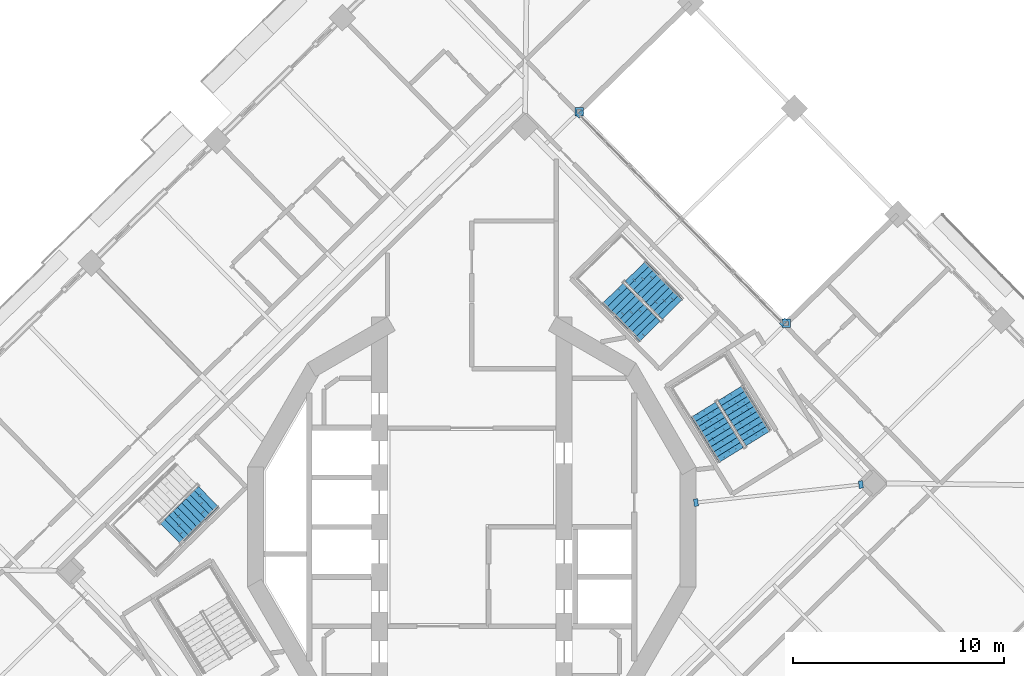
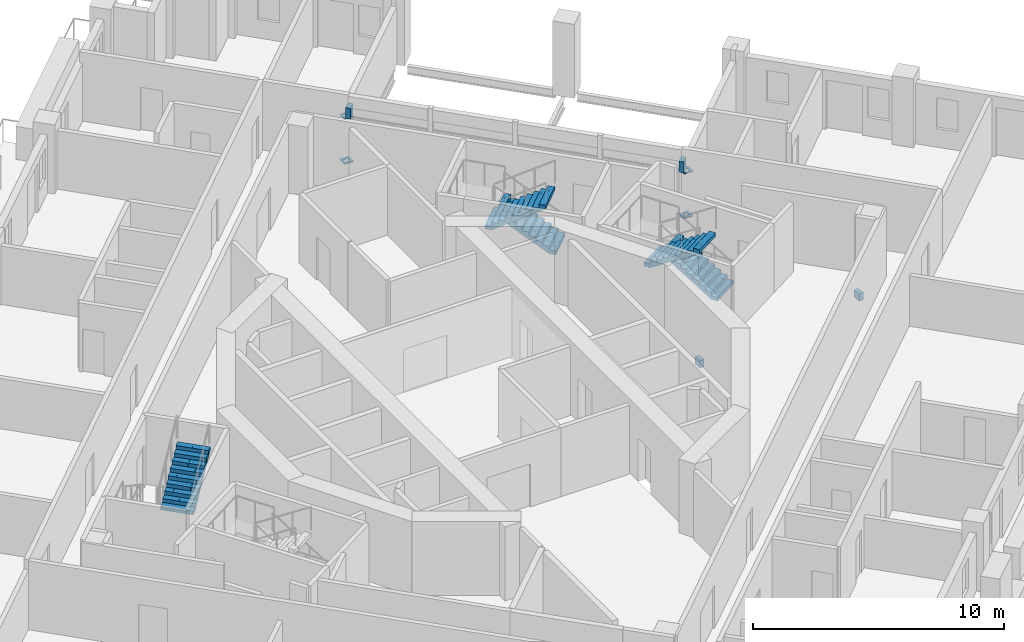
# One storey, part 14 of 20: 8 discrete accessories, 5 stair flights, 3 elements without a shape of their own.
"""IFC4 building model written with IfcOpenShell, lengths in metres."""

import ifcopenshell
import ifcopenshell.guid

model = None  # the IFC model being written
_history = None  # IfcOwnerHistory: only IFC2X3 demands one
_inside = {}  # id of a spatial element -> (the spatial element, [elements in it])
_under = {}  # id of a project, library or spatial element -> (it, [spatial elements below it])
_declared = {}  # id of a project -> (the project, [libraries it declares])
_typed = {}  # id of a type object -> (the type object, [elements of that type])
_made_of = {}  # id of a material, layer set ... -> (it, [elements and type objects made of it])


def new_model(schema):
    """Start an empty IFC model of exactly this schema.

    Asked for "IFC4X3", IfcOpenShell would pick the latest addendum, in which some entities
    have other attributes; the version numbers below select the first issue.
    IFC2X3 requires an IfcOwnerHistory on every rooted entity: one is made here for all.
    """
    global model, _history
    if schema == "IFC4X3":
        model = ifcopenshell.file(schema_version=(4, 3, 0, 0))
    else:
        model = ifcopenshell.file(schema=schema)
    _inside.clear()
    _under.clear()
    _declared.clear()
    _typed.clear()
    _made_of.clear()
    _history = None
    if model.schema == "IFC2X3":
        org = make("IfcOrganization", Name="unknown")
        user = make(
            "IfcPersonAndOrganization",
            ThePerson=make("IfcPerson", FamilyName="unknown"),
            TheOrganization=org,
        )
        app = make(
            "IfcApplication",
            ApplicationDeveloper=org,
            Version="unknown",
            ApplicationFullName="unknown",
            ApplicationIdentifier="unknown",
        )
        _history = make(
            "IfcOwnerHistory",
            OwningUser=user,
            OwningApplication=app,
            ChangeAction="ADDED",
            CreationDate=0,
        )
    return model


def make(cls, **values):
    """One entity of the class cls with the attributes given. An attribute that is None is left unset."""
    return model.create_entity(
        cls, **{name: value for name, value in values.items() if value is not None}
    )


def rooted(cls, **values):
    """An entity with a GlobalId (a new one), such as an element, a storey or a relation."""
    return make(cls, GlobalId=ifcopenshell.guid.new(), OwnerHistory=_history, **values)


def si_unit(unit_type, name, prefix=None):
    """IfcSIUnit, for example si_unit("LENGTHUNIT", "METRE", prefix="MILLI")."""
    return make("IfcSIUnit", UnitType=unit_type, Prefix=prefix, Name=name)


def assignment(units):
    """IfcUnitAssignment: the units of a project."""
    return None if units is None else make("IfcUnitAssignment", Units=units)


def point(xyz):
    """IfcCartesianPoint."""
    return None if xyz is None else make("IfcCartesianPoint", Coordinates=xyz)


def direction(xyz):
    """IfcDirection."""
    return None if xyz is None else make("IfcDirection", DirectionRatios=xyz)


def frame(location, z_axis=None, x_axis=None):
    """IfcAxis2Placement3D, a coordinate frame: its origin and axes. An axis left out is left unset."""
    return make(
        "IfcAxis2Placement3D",
        Location=point(location),
        Axis=direction(z_axis),
        RefDirection=direction(x_axis),
    )


def origin():
    """The frame at (0, 0, 0) with its axes left unset."""
    return frame((0.0, 0.0, 0.0))


def place(relative_to, where):
    """IfcLocalPlacement: puts the frame where relative to a parent placement (None: the world)."""
    return make(
        "IfcLocalPlacement", PlacementRelTo=relative_to, RelativePlacement=where
    )


def context(
    kind, dimensions, precision=None, world=None, true_north=None, identifier=None
):
    """IfcGeometricRepresentationContext, for example the 3D "Model" context."""
    return make(
        "IfcGeometricRepresentationContext",
        ContextIdentifier=identifier,
        ContextType=kind,
        CoordinateSpaceDimension=dimensions,
        Precision=precision,
        WorldCoordinateSystem=world,
        TrueNorth=true_north,
    )


def subcontext(parent, identifier, kind, view, scale=None):
    """IfcGeometricRepresentationSubContext, for example "Body" below "Model"."""
    return make(
        "IfcGeometricRepresentationSubContext",
        ContextIdentifier=identifier,
        ContextType=kind,
        ParentContext=parent,
        TargetScale=scale,
        TargetView=view,
    )


def project(units=None, contexts=None):
    """IfcProject with its units and contexts."""
    return rooted(
        "IfcProject",
        Name="project",
        RepresentationContexts=contexts,
        UnitsInContext=assignment(units),
    )


def spatial(cls, under=None, at=None, **own):
    """A site, building, storey or space (cls), placed at a placement, below another one or the project."""
    s = rooted(cls, ObjectPlacement=at, **own)
    if under is not None:
        _under.setdefault(under.id(), (under, []))[1].append(s)
    return s


def polyline(points):
    """IfcPolyline through the points."""
    return make("IfcPolyline", Points=[point(p) for p in points])


def outline(outer, holes=None, kind="AREA"):
    """IfcArbitraryClosedProfileDef: a profile drawn as a closed curve; with holes, ...WithVoids."""
    if holes is None:
        return make("IfcArbitraryClosedProfileDef", ProfileType=kind, OuterCurve=outer)
    return make(
        "IfcArbitraryProfileDefWithVoids",
        ProfileType=kind,
        OuterCurve=outer,
        InnerCurves=holes,
    )


def extrude(swept, where, along, depth):
    """IfcExtrudedAreaSolid: the profile swept, set in the frame where, extruded along a direction by depth."""
    return make(
        "IfcExtrudedAreaSolid",
        SweptArea=swept,
        Position=where,
        ExtrudedDirection=direction(along),
        Depth=depth,
    )


def shape(context_of_items, identifier, shape_type, items):
    """IfcShapeRepresentation: the items that make up one representation, for example the "Body"."""
    return make(
        "IfcShapeRepresentation",
        ContextOfItems=context_of_items,
        RepresentationIdentifier=identifier,
        RepresentationType=shape_type,
        Items=items,
    )


def material(Name=None, Category=None):
    """IfcMaterial."""
    return make("IfcMaterial", Name=Name, Category=Category)


def layer(
    of_material, thickness, ventilated=None, Name=None, Category=None, Priority=None
):
    """IfcMaterialLayer: one layer of a wall or slab, of a material (None: an air gap)."""
    return make(
        "IfcMaterialLayer",
        Material=of_material,
        LayerThickness=thickness,
        IsVentilated=ventilated,
        Name=Name,
        Category=Category,
        Priority=Priority,
    )


def layer_set(layers, Name=None):
    """IfcMaterialLayerSet."""
    return make("IfcMaterialLayerSet", MaterialLayers=layers, LayerSetName=Name)


def made_of(thing, what):
    """Note that an element or type object is made of a material, layer set ...; save() writes the relation."""
    if what is not None:
        _made_of.setdefault(what.id(), (what, []))[1].append(thing)
    return thing


def type_object(cls, material=None, **own):
    """A type object (cls), such as IfcWallType, which elements share."""
    return made_of(rooted(cls, **own), material)


def element(
    cls,
    number,
    at=None,
    inside=None,
    cuts=None,
    type_object=None,
    material=None,
    context=None,
    identifier="Body",
    shape_type=None,
    held_by="IfcProductDefinitionShape",
    body=None,
    shapes=None,
    **own,
):
    """One element of the class cls, such as IfcWall. Its Tag is "e" and its number.

    at: its placement. inside: the storey or other place that contains it. cuts: it is an
    opening in that element (IfcRelVoidsElement). A single representation is given by context,
    identifier, shape_type and body (its items); several are given by shapes. held_by: the class
    of the entity that holds the representations. save() writes the other relations.
    """
    e = rooted(cls, Tag="e%d" % number, ObjectPlacement=at, **own)
    if body is not None:
        shapes = [shape(context, identifier, shape_type, body)]
    if shapes is not None:
        e.Representation = make(held_by, Representations=shapes)
    if inside is not None:
        _inside.setdefault(inside.id(), (inside, []))[1].append(e)
    if cuts is not None:
        rooted(
            "IfcRelVoidsElement", RelatingBuildingElement=cuts, RelatedOpeningElement=e
        )
    if type_object is not None:
        _typed.setdefault(type_object.id(), (type_object, []))[1].append(e)
    return made_of(e, material)


def aggregate(whole, parts):
    """IfcRelAggregates: a whole, such as a stair, and the parts it consists of."""
    return rooted("IfcRelAggregates", RelatingObject=whole, RelatedObjects=parts)


def save(model, path):
    """Write the relations noted so far, then the file.

    IfcRelAggregates (storeys below a building ...), IfcRelContainedInSpatialStructure (elements
    in a storey), IfcRelDefinesByType, IfcRelAssociatesMaterial and IfcRelDeclares: one each for
    every whole, place, type object, material and project.
    """
    for whole, parts in _under.values():
        aggregate(whole, parts)
    for where, things in _inside.values():
        rooted(
            "IfcRelContainedInSpatialStructure",
            RelatedElements=things,
            RelatingStructure=where,
        )
    for kind, things in _typed.values():
        rooted("IfcRelDefinesByType", RelatedObjects=things, RelatingType=kind)
    for what, things in _made_of.values():
        rooted("IfcRelAssociatesMaterial", RelatedObjects=things, RelatingMaterial=what)
    for by, libraries in _declared.values():
        rooted("IfcRelDeclares", RelatingContext=by, RelatedDefinitions=libraries)
    model.write(path)


model = new_model("IFC4")

# Units and contexts
model_context = context("Model", 3, precision=1e-05, world=origin(), true_north=direction((0.0, 1.0)))
body_context = subcontext(model_context, "Body", "Model", "MODEL_VIEW")
ifc_project = project(units=[si_unit("LENGTHUNIT", "METRE"), si_unit("AREAUNIT", "SQUARE_METRE"), si_unit("VOLUMEUNIT", "CUBIC_METRE"), si_unit("PLANEANGLEUNIT", "RADIAN"), si_unit("MASSUNIT", "GRAM", prefix="KILO")], contexts=[model_context])

# Site, building, storey
site_placement = place(None, origin())
site = spatial("IfcSite", under=ifc_project, at=site_placement, CompositionType="ELEMENT")
building_placement = place(site_placement, origin())
building = spatial("IfcBuilding", under=site, at=building_placement, Name="Cantera Rosa Tower", CompositionType="ELEMENT")
storey_placement = place(building_placement, frame((0.0, 0.0, 212.60009765625)))
storey = spatial("IfcBuildingStorey", under=building, at=storey_placement, Name="L45", CompositionType="ELEMENT", Elevation=212.60009765625)

# Stair, stair flights
ifc_material_1 = material(Name="Concrete C35/45", Category="concrete")
stair_type = type_object("IfcStairType", Name="EXIT STAIR 1350 DOGLEG", PredefinedType="HALF_TURN_STAIR", material=ifc_material_1)
stair_1_placement = place(storey_placement, origin())
stair_1 = element("IfcStair", 1, at=stair_1_placement, inside=storey, type_object=stair_type, Name="L45 ST-41", PredefinedType="HALF_TURN_STAIR")
ifc_material_2 = material(Name="Concrete C35/45", Category="concrete")
stair_flight_type = type_object("IfcStairFlightType", Name="STAIR FLIGHT 1350 R20x180", PredefinedType="STRAIGHT", material=ifc_material_2)
stair_flight_1_placement = place(storey_placement, frame((13.5732421875, 4.2021484375, 0.0), z_axis=(0.0, 0.0, 1.0), x_axis=(-0.524976585286, 0.851116669383, 0.0)))
stair_flight_1 = element("IfcStairFlight", 2, at=stair_flight_1_placement, type_object=stair_flight_type, Name="ST-41 flight 1", NumberOfRisers=10, NumberOfTreads=9, PredefinedType="STRAIGHT", RiserHeight=0.18, TreadLength=0.28, context=body_context, shape_type="SweptSolid", body=[
    extrude(outline(polyline([(0.0, 0.0), (0.0, 0.179931640625), (0.280029296875, 0.179931640625), (0.280029296875, 0.360107421875), (0.56005859375, 0.360107421875), (0.56005859375, 0.5400390625), (0.840087890625, 0.5400390625), (0.840087890625, 0.719970703125), (1.1201171875, 0.719970703125), (1.1201171875, 0.89990234375), (1.39990234375, 0.89990234375), (1.39990234375, 1.080078125), (1.679931640625, 1.080078125), (1.679931640625, 1.260009765625), (1.9599609375, 1.260009765625), (1.9599609375, 1.43994140625), (2.239990234375, 1.43994140625), (2.239990234375, 1.6201171875), (2.52001953125, 1.6201171875), (2.52001953125, 1.800048828125), (2.52001953125, 1.44189453125), (0.277099609375, 0.0), (0.0, 0.0)])), frame((0.0, 0.675048828125, 0.0), z_axis=(0.0, -1.0, 0.0), x_axis=(1.0, 0.0, 0.0)), (0.0, 0.0, 1.0), 0.3359375),
    extrude(outline(polyline([(0.0, 0.0), (0.0, 0.179931640625), (0.280029296875, 0.179931640625), (0.280029296875, 0.360107421875), (0.56005859375, 0.360107421875), (0.56005859375, 0.5400390625), (0.840087890625, 0.5400390625), (0.840087890625, 0.719970703125), (1.1201171875, 0.719970703125), (1.1201171875, 0.89990234375), (1.39990234375, 0.89990234375), (1.39990234375, 1.080078125), (1.679931640625, 1.080078125), (1.679931640625, 1.260009765625), (1.9599609375, 1.260009765625), (1.9599609375, 1.43994140625), (2.239990234375, 1.43994140625), (2.239990234375, 1.6201171875), (2.52001953125, 1.6201171875), (2.52001953125, 1.800048828125), (2.52001953125, 1.44189453125), (0.277099609375, 0.0), (0.0, 0.0)])), frame((0.0, 0.337158203125, 0.0), z_axis=(0.0, -1.0, 0.0), x_axis=(1.0, 0.0, 0.0)), (0.0, 0.0, 1.0), 0.3359375),
    extrude(outline(polyline([(0.0, 0.0), (0.0, 0.179931640625), (0.280029296875, 0.179931640625), (0.280029296875, 0.360107421875), (0.56005859375, 0.360107421875), (0.56005859375, 0.5400390625), (0.840087890625, 0.5400390625), (0.840087890625, 0.719970703125), (1.1201171875, 0.719970703125), (1.1201171875, 0.89990234375), (1.39990234375, 0.89990234375), (1.39990234375, 1.080078125), (1.679931640625, 1.080078125), (1.679931640625, 1.260009765625), (1.9599609375, 1.260009765625), (1.9599609375, 1.43994140625), (2.239990234375, 1.43994140625), (2.239990234375, 1.6201171875), (2.52001953125, 1.6201171875), (2.52001953125, 1.800048828125), (2.52001953125, 1.44189453125), (0.277099609375, 0.0), (0.0, 0.0)])), frame((0.0, -0.000732421875, 0.0), z_axis=(0.0, -1.0, 0.0), x_axis=(1.0, 0.0, 0.0)), (0.0, 0.0, 1.0), 0.3359375),
    extrude(outline(polyline([(0.0, 0.0), (0.0, 0.179931640625), (0.280029296875, 0.179931640625), (0.280029296875, 0.360107421875), (0.56005859375, 0.360107421875), (0.56005859375, 0.5400390625), (0.840087890625, 0.5400390625), (0.840087890625, 0.719970703125), (1.1201171875, 0.719970703125), (1.1201171875, 0.89990234375), (1.39990234375, 0.89990234375), (1.39990234375, 1.080078125), (1.679931640625, 1.080078125), (1.679931640625, 1.260009765625), (1.9599609375, 1.260009765625), (1.9599609375, 1.43994140625), (2.239990234375, 1.43994140625), (2.239990234375, 1.6201171875), (2.52001953125, 1.6201171875), (2.52001953125, 1.800048828125), (2.52001953125, 1.44189453125), (0.277099609375, 0.0), (0.0, 0.0)])), frame((0.0, -0.338623046875, 0.0), z_axis=(0.0, -1.0, 0.0), x_axis=(1.0, 0.0, 0.0)), (0.0, 0.0, 1.0), 0.3359375),
])
stair_flight_2_placement = place(storey_placement, frame((10.9736328125, 5.5595703125, 1.7998046875), z_axis=(0.0, 0.0, 1.0), x_axis=(0.524976585286, -0.851116669383, 0.0)))
stair_flight_2 = element("IfcStairFlight", 3, at=stair_flight_2_placement, type_object=stair_flight_type, Name="ST-41 flight 2", NumberOfRisers=10, NumberOfTreads=9, PredefinedType="STRAIGHT", RiserHeight=0.18, TreadLength=0.28, context=body_context, shape_type="SweptSolid", body=[
    extrude(outline(polyline([(0.0, 0.0), (0.0, 0.179931640625), (0.280029296875, 0.179931640625), (0.280029296875, 0.360107421875), (0.56005859375, 0.360107421875), (0.56005859375, 0.5400390625), (0.840087890625, 0.5400390625), (0.840087890625, 0.719970703125), (1.1201171875, 0.719970703125), (1.1201171875, 0.89990234375), (1.39990234375, 0.89990234375), (1.39990234375, 1.080078125), (1.679931640625, 1.080078125), (1.679931640625, 1.260009765625), (1.9599609375, 1.260009765625), (1.9599609375, 1.43994140625), (2.239990234375, 1.43994140625), (2.239990234375, 1.6201171875), (2.52001953125, 1.6201171875), (2.52001953125, 1.800048828125), (2.52001953125, 1.44189453125), (0.277099609375, 0.0), (0.0, 0.0)])), frame((0.0, 0.675048828125, 0.0), z_axis=(0.0, -1.0, 0.0), x_axis=(1.0, 0.0, 0.0)), (0.0, 0.0, 1.0), 0.3359375),
    extrude(outline(polyline([(0.0, 0.0), (0.0, 0.179931640625), (0.280029296875, 0.179931640625), (0.280029296875, 0.360107421875), (0.56005859375, 0.360107421875), (0.56005859375, 0.5400390625), (0.840087890625, 0.5400390625), (0.840087890625, 0.719970703125), (1.1201171875, 0.719970703125), (1.1201171875, 0.89990234375), (1.39990234375, 0.89990234375), (1.39990234375, 1.080078125), (1.679931640625, 1.080078125), (1.679931640625, 1.260009765625), (1.9599609375, 1.260009765625), (1.9599609375, 1.43994140625), (2.239990234375, 1.43994140625), (2.239990234375, 1.6201171875), (2.52001953125, 1.6201171875), (2.52001953125, 1.800048828125), (2.52001953125, 1.44189453125), (0.277099609375, 0.0), (0.0, 0.0)])), frame((0.0, 0.337158203125, 0.0), z_axis=(0.0, -1.0, 0.0), x_axis=(1.0, 0.0, 0.0)), (0.0, 0.0, 1.0), 0.3359375),
    extrude(outline(polyline([(0.0, 0.0), (0.0, 0.179931640625), (0.280029296875, 0.179931640625), (0.280029296875, 0.360107421875), (0.56005859375, 0.360107421875), (0.56005859375, 0.5400390625), (0.840087890625, 0.5400390625), (0.840087890625, 0.719970703125), (1.1201171875, 0.719970703125), (1.1201171875, 0.89990234375), (1.39990234375, 0.89990234375), (1.39990234375, 1.080078125), (1.679931640625, 1.080078125), (1.679931640625, 1.260009765625), (1.9599609375, 1.260009765625), (1.9599609375, 1.43994140625), (2.239990234375, 1.43994140625), (2.239990234375, 1.6201171875), (2.52001953125, 1.6201171875), (2.52001953125, 1.800048828125), (2.52001953125, 1.44189453125), (0.277099609375, 0.0), (0.0, 0.0)])), frame((0.0, -0.000732421875, 0.0), z_axis=(0.0, -1.0, 0.0), x_axis=(1.0, 0.0, 0.0)), (0.0, 0.0, 1.0), 0.3359375),
    extrude(outline(polyline([(0.0, 0.0), (0.0, 0.179931640625), (0.280029296875, 0.179931640625), (0.280029296875, 0.360107421875), (0.56005859375, 0.360107421875), (0.56005859375, 0.5400390625), (0.840087890625, 0.5400390625), (0.840087890625, 0.719970703125), (1.1201171875, 0.719970703125), (1.1201171875, 0.89990234375), (1.39990234375, 0.89990234375), (1.39990234375, 1.080078125), (1.679931640625, 1.080078125), (1.679931640625, 1.260009765625), (1.9599609375, 1.260009765625), (1.9599609375, 1.43994140625), (2.239990234375, 1.43994140625), (2.239990234375, 1.6201171875), (2.52001953125, 1.6201171875), (2.52001953125, 1.800048828125), (2.52001953125, 1.44189453125), (0.277099609375, 0.0), (0.0, 0.0)])), frame((0.0, -0.338623046875, 0.0), z_axis=(0.0, -1.0, 0.0), x_axis=(1.0, 0.0, 0.0)), (0.0, 0.0, 1.0), 0.3359375),
])
aggregate(stair_1, [stair_flight_1, stair_flight_2])

stair_2_placement = place(storey_placement, origin())
stair_2 = element("IfcStair", 4, at=stair_2_placement, inside=storey, type_object=stair_type, Name="L45 ST-42", PredefinedType="HALF_TURN_STAIR")
stair_flight_3_placement = place(storey_placement, frame((9.514892578125, 10.32275390625, 0.0), z_axis=(0.0, 0.0, 1.0), x_axis=(-0.698831536207, 0.715286295132, 0.0)))
stair_flight_3 = element("IfcStairFlight", 5, at=stair_flight_3_placement, type_object=stair_flight_type, Name="ST-42 flight 1", NumberOfRisers=10, NumberOfTreads=9, PredefinedType="STRAIGHT", RiserHeight=0.18, TreadLength=0.28, context=body_context, shape_type="SweptSolid", body=[
    extrude(outline(polyline([(0.0, 0.0), (0.0, 0.179931640625), (0.280029296875, 0.179931640625), (0.280029296875, 0.360107421875), (0.56005859375, 0.360107421875), (0.56005859375, 0.5400390625), (0.840087890625, 0.5400390625), (0.840087890625, 0.719970703125), (1.1201171875, 0.719970703125), (1.1201171875, 0.89990234375), (1.39990234375, 0.89990234375), (1.39990234375, 1.080078125), (1.679931640625, 1.080078125), (1.679931640625, 1.260009765625), (1.9599609375, 1.260009765625), (1.9599609375, 1.43994140625), (2.239990234375, 1.43994140625), (2.239990234375, 1.6201171875), (2.52001953125, 1.6201171875), (2.52001953125, 1.800048828125), (2.52001953125, 1.44189453125), (0.277099609375, 0.0), (0.0, 0.0)])), frame((0.0, 0.675048828125, 0.0), z_axis=(0.0, -1.0, 0.0), x_axis=(1.0, 0.0, 0.0)), (0.0, 0.0, 1.0), 0.3359375),
    extrude(outline(polyline([(0.0, 0.0), (0.0, 0.179931640625), (0.280029296875, 0.179931640625), (0.280029296875, 0.360107421875), (0.56005859375, 0.360107421875), (0.56005859375, 0.5400390625), (0.840087890625, 0.5400390625), (0.840087890625, 0.719970703125), (1.1201171875, 0.719970703125), (1.1201171875, 0.89990234375), (1.39990234375, 0.89990234375), (1.39990234375, 1.080078125), (1.679931640625, 1.080078125), (1.679931640625, 1.260009765625), (1.9599609375, 1.260009765625), (1.9599609375, 1.43994140625), (2.239990234375, 1.43994140625), (2.239990234375, 1.6201171875), (2.52001953125, 1.6201171875), (2.52001953125, 1.800048828125), (2.52001953125, 1.44189453125), (0.277099609375, 0.0), (0.0, 0.0)])), frame((0.0, 0.337158203125, 0.0), z_axis=(0.0, -1.0, 0.0), x_axis=(1.0, 0.0, 0.0)), (0.0, 0.0, 1.0), 0.3359375),
    extrude(outline(polyline([(0.0, 0.0), (0.0, 0.179931640625), (0.280029296875, 0.179931640625), (0.280029296875, 0.360107421875), (0.56005859375, 0.360107421875), (0.56005859375, 0.5400390625), (0.840087890625, 0.5400390625), (0.840087890625, 0.719970703125), (1.1201171875, 0.719970703125), (1.1201171875, 0.89990234375), (1.39990234375, 0.89990234375), (1.39990234375, 1.080078125), (1.679931640625, 1.080078125), (1.679931640625, 1.260009765625), (1.9599609375, 1.260009765625), (1.9599609375, 1.43994140625), (2.239990234375, 1.43994140625), (2.239990234375, 1.6201171875), (2.52001953125, 1.6201171875), (2.52001953125, 1.800048828125), (2.52001953125, 1.44189453125), (0.277099609375, 0.0), (0.0, 0.0)])), frame((0.0, -0.000732421875, 0.0), z_axis=(0.0, -1.0, 0.0), x_axis=(1.0, 0.0, 0.0)), (0.0, 0.0, 1.0), 0.3359375),
    extrude(outline(polyline([(0.0, 0.0), (0.0, 0.179931640625), (0.280029296875, 0.179931640625), (0.280029296875, 0.360107421875), (0.56005859375, 0.360107421875), (0.56005859375, 0.5400390625), (0.840087890625, 0.5400390625), (0.840087890625, 0.719970703125), (1.1201171875, 0.719970703125), (1.1201171875, 0.89990234375), (1.39990234375, 0.89990234375), (1.39990234375, 1.080078125), (1.679931640625, 1.080078125), (1.679931640625, 1.260009765625), (1.9599609375, 1.260009765625), (1.9599609375, 1.43994140625), (2.239990234375, 1.43994140625), (2.239990234375, 1.6201171875), (2.52001953125, 1.6201171875), (2.52001953125, 1.800048828125), (2.52001953125, 1.44189453125), (0.277099609375, 0.0), (0.0, 0.0)])), frame((0.0, -0.338623046875, 0.0), z_axis=(0.0, -1.0, 0.0), x_axis=(1.0, 0.0, 0.0)), (0.0, 0.0, 1.0), 0.3359375),
])
stair_flight_4_placement = place(storey_placement, frame((6.680908203125, 11.076904296875, 1.7998046875), z_axis=(0.0, 0.0, 1.0), x_axis=(0.698831536207, -0.715286295132, 0.0)))
stair_flight_4 = element("IfcStairFlight", 6, at=stair_flight_4_placement, type_object=stair_flight_type, Name="ST-42 flight 2", NumberOfRisers=10, NumberOfTreads=9, PredefinedType="STRAIGHT", RiserHeight=0.18, TreadLength=0.28, context=body_context, shape_type="SweptSolid", body=[
    extrude(outline(polyline([(0.0, 0.0), (0.0, 0.179931640625), (0.280029296875, 0.179931640625), (0.280029296875, 0.360107421875), (0.56005859375, 0.360107421875), (0.56005859375, 0.5400390625), (0.840087890625, 0.5400390625), (0.840087890625, 0.719970703125), (1.1201171875, 0.719970703125), (1.1201171875, 0.89990234375), (1.39990234375, 0.89990234375), (1.39990234375, 1.080078125), (1.679931640625, 1.080078125), (1.679931640625, 1.260009765625), (1.9599609375, 1.260009765625), (1.9599609375, 1.43994140625), (2.239990234375, 1.43994140625), (2.239990234375, 1.6201171875), (2.52001953125, 1.6201171875), (2.52001953125, 1.800048828125), (2.52001953125, 1.44189453125), (0.277099609375, 0.0), (0.0, 0.0)])), frame((0.0, 0.675048828125, 0.0), z_axis=(0.0, -1.0, 0.0), x_axis=(1.0, 0.0, 0.0)), (0.0, 0.0, 1.0), 0.3359375),
    extrude(outline(polyline([(0.0, 0.0), (0.0, 0.179931640625), (0.280029296875, 0.179931640625), (0.280029296875, 0.360107421875), (0.56005859375, 0.360107421875), (0.56005859375, 0.5400390625), (0.840087890625, 0.5400390625), (0.840087890625, 0.719970703125), (1.1201171875, 0.719970703125), (1.1201171875, 0.89990234375), (1.39990234375, 0.89990234375), (1.39990234375, 1.080078125), (1.679931640625, 1.080078125), (1.679931640625, 1.260009765625), (1.9599609375, 1.260009765625), (1.9599609375, 1.43994140625), (2.239990234375, 1.43994140625), (2.239990234375, 1.6201171875), (2.52001953125, 1.6201171875), (2.52001953125, 1.800048828125), (2.52001953125, 1.44189453125), (0.277099609375, 0.0), (0.0, 0.0)])), frame((0.0, 0.337158203125, 0.0), z_axis=(0.0, -1.0, 0.0), x_axis=(1.0, 0.0, 0.0)), (0.0, 0.0, 1.0), 0.3359375),
    extrude(outline(polyline([(0.0, 0.0), (0.0, 0.179931640625), (0.280029296875, 0.179931640625), (0.280029296875, 0.360107421875), (0.56005859375, 0.360107421875), (0.56005859375, 0.5400390625), (0.840087890625, 0.5400390625), (0.840087890625, 0.719970703125), (1.1201171875, 0.719970703125), (1.1201171875, 0.89990234375), (1.39990234375, 0.89990234375), (1.39990234375, 1.080078125), (1.679931640625, 1.080078125), (1.679931640625, 1.260009765625), (1.9599609375, 1.260009765625), (1.9599609375, 1.43994140625), (2.239990234375, 1.43994140625), (2.239990234375, 1.6201171875), (2.52001953125, 1.6201171875), (2.52001953125, 1.800048828125), (2.52001953125, 1.44189453125), (0.277099609375, 0.0), (0.0, 0.0)])), frame((0.0, -0.000732421875, 0.0), z_axis=(0.0, -1.0, 0.0), x_axis=(1.0, 0.0, 0.0)), (0.0, 0.0, 1.0), 0.3359375),
    extrude(outline(polyline([(0.0, 0.0), (0.0, 0.179931640625), (0.280029296875, 0.179931640625), (0.280029296875, 0.360107421875), (0.56005859375, 0.360107421875), (0.56005859375, 0.5400390625), (0.840087890625, 0.5400390625), (0.840087890625, 0.719970703125), (1.1201171875, 0.719970703125), (1.1201171875, 0.89990234375), (1.39990234375, 0.89990234375), (1.39990234375, 1.080078125), (1.679931640625, 1.080078125), (1.679931640625, 1.260009765625), (1.9599609375, 1.260009765625), (1.9599609375, 1.43994140625), (2.239990234375, 1.43994140625), (2.239990234375, 1.6201171875), (2.52001953125, 1.6201171875), (2.52001953125, 1.800048828125), (2.52001953125, 1.44189453125), (0.277099609375, 0.0), (0.0, 0.0)])), frame((0.0, -0.338623046875, 0.0), z_axis=(0.0, -1.0, 0.0), x_axis=(1.0, 0.0, 0.0)), (0.0, 0.0, 1.0), 0.3359375),
])
aggregate(stair_2, [stair_flight_3, stair_flight_4])

# Stair, stair flight
stair_3_placement = place(storey_placement, origin())
stair_3 = element("IfcStair", 7, at=stair_3_placement, inside=storey, type_object=stair_type, Name="L45 ST-43", PredefinedType="HALF_TURN_STAIR")
stair_flight_5_placement = place(storey_placement, frame((-14.277099609375, -0.319091796875, 1.7998046875), z_axis=(0.0, 0.0, 1.0), x_axis=(0.715286295132, 0.698831536207, 0.0)))
stair_flight_5 = element("IfcStairFlight", 8, at=stair_flight_5_placement, type_object=stair_flight_type, Name="ST-43 flight 2", NumberOfRisers=10, NumberOfTreads=9, PredefinedType="STRAIGHT", RiserHeight=0.18, TreadLength=0.28, context=body_context, shape_type="SweptSolid", body=[
    extrude(outline(polyline([(0.0, 0.0), (0.0, 0.179931640625), (0.280029296875, 0.179931640625), (0.280029296875, 0.360107421875), (0.56005859375, 0.360107421875), (0.56005859375, 0.5400390625), (0.840087890625, 0.5400390625), (0.840087890625, 0.719970703125), (1.1201171875, 0.719970703125), (1.1201171875, 0.89990234375), (1.39990234375, 0.89990234375), (1.39990234375, 1.080078125), (1.679931640625, 1.080078125), (1.679931640625, 1.260009765625), (1.9599609375, 1.260009765625), (1.9599609375, 1.43994140625), (2.239990234375, 1.43994140625), (2.239990234375, 1.6201171875), (2.52001953125, 1.6201171875), (2.52001953125, 1.800048828125), (2.52001953125, 1.44189453125), (0.277099609375, 0.0), (0.0, 0.0)])), frame((0.0, 0.675048828125, 0.0), z_axis=(0.0, -1.0, 0.0), x_axis=(1.0, 0.0, 0.0)), (0.0, 0.0, 1.0), 0.3359375),
    extrude(outline(polyline([(0.0, 0.0), (0.0, 0.179931640625), (0.280029296875, 0.179931640625), (0.280029296875, 0.360107421875), (0.56005859375, 0.360107421875), (0.56005859375, 0.5400390625), (0.840087890625, 0.5400390625), (0.840087890625, 0.719970703125), (1.1201171875, 0.719970703125), (1.1201171875, 0.89990234375), (1.39990234375, 0.89990234375), (1.39990234375, 1.080078125), (1.679931640625, 1.080078125), (1.679931640625, 1.260009765625), (1.9599609375, 1.260009765625), (1.9599609375, 1.43994140625), (2.239990234375, 1.43994140625), (2.239990234375, 1.6201171875), (2.52001953125, 1.6201171875), (2.52001953125, 1.800048828125), (2.52001953125, 1.44189453125), (0.277099609375, 0.0), (0.0, 0.0)])), frame((0.0, 0.337158203125, 0.0), z_axis=(0.0, -1.0, 0.0), x_axis=(1.0, 0.0, 0.0)), (0.0, 0.0, 1.0), 0.3359375),
    extrude(outline(polyline([(0.0, 0.0), (0.0, 0.179931640625), (0.280029296875, 0.179931640625), (0.280029296875, 0.360107421875), (0.56005859375, 0.360107421875), (0.56005859375, 0.5400390625), (0.840087890625, 0.5400390625), (0.840087890625, 0.719970703125), (1.1201171875, 0.719970703125), (1.1201171875, 0.89990234375), (1.39990234375, 0.89990234375), (1.39990234375, 1.080078125), (1.679931640625, 1.080078125), (1.679931640625, 1.260009765625), (1.9599609375, 1.260009765625), (1.9599609375, 1.43994140625), (2.239990234375, 1.43994140625), (2.239990234375, 1.6201171875), (2.52001953125, 1.6201171875), (2.52001953125, 1.800048828125), (2.52001953125, 1.44189453125), (0.277099609375, 0.0), (0.0, 0.0)])), frame((0.0, -0.000732421875, 0.0), z_axis=(0.0, -1.0, 0.0), x_axis=(1.0, 0.0, 0.0)), (0.0, 0.0, 1.0), 0.3359375),
    extrude(outline(polyline([(0.0, 0.0), (0.0, 0.179931640625), (0.280029296875, 0.179931640625), (0.280029296875, 0.360107421875), (0.56005859375, 0.360107421875), (0.56005859375, 0.5400390625), (0.840087890625, 0.5400390625), (0.840087890625, 0.719970703125), (1.1201171875, 0.719970703125), (1.1201171875, 0.89990234375), (1.39990234375, 0.89990234375), (1.39990234375, 1.080078125), (1.679931640625, 1.080078125), (1.679931640625, 1.260009765625), (1.9599609375, 1.260009765625), (1.9599609375, 1.43994140625), (2.239990234375, 1.43994140625), (2.239990234375, 1.6201171875), (2.52001953125, 1.6201171875), (2.52001953125, 1.800048828125), (2.52001953125, 1.44189453125), (0.277099609375, 0.0), (0.0, 0.0)])), frame((0.0, -0.338623046875, 0.0), z_axis=(0.0, -1.0, 0.0), x_axis=(1.0, 0.0, 0.0)), (0.0, 0.0, 1.0), 0.3359375),
])
aggregate(stair_3, [stair_flight_5])

# Discrete accessories
ifc_material_3 = material(Name="Steel ASTM A992 (Fy 345 MPa)", Category="steel")
ifc_layer = layer(ifc_material_3, 0.0400390625)
ifc_layer_set = layer_set([ifc_layer], Name="STEEL BEARING PLATE 40")
discrete_accessory_type = type_object("IfcDiscreteAccessoryType", Name="STEEL BEARING PLATE 40", PredefinedType="ANCHORPLATE", material=ifc_layer_set)
discrete_accessory_1_placement = place(storey_placement, frame((0.0, 0.0, -0.66015625)))
element("IfcDiscreteAccessory", 9, at=discrete_accessory_1_placement, inside=storey, type_object=discrete_accessory_type, Name="BEARING PLATE PG-Z4-01 end 1 L45", PredefinedType="ANCHORPLATE", context=body_context, shape_type="SweptSolid", body=[
    extrude(outline(polyline([(18.362548828125, 1.828125), (18.5615234375, 1.849853515625), (18.52294921875, 2.20166015625), (18.32421875, 2.179931640625), (18.362548828125, 1.828125)])), origin(), (0.0, 0.0, 1.0), 0.360107421875),
])
discrete_accessory_2_placement = place(storey_placement, frame((0.0, 0.0, -0.66015625)))
element("IfcDiscreteAccessory", 10, at=discrete_accessory_2_placement, inside=storey, type_object=discrete_accessory_type, Name="BEARING PLATE PG-Z4-01 end 2 L45", PredefinedType="ANCHORPLATE", context=body_context, shape_type="SweptSolid", body=[
    extrude(outline(polyline([(10.705322265625, 1.34765625), (10.506591796875, 1.325927734375), (10.544921875, 0.97412109375), (10.743896484375, 0.99560546875), (10.705322265625, 1.34765625)])), origin(), (0.0, 0.0, 1.0), 0.360107421875),
])
discrete_accessory_3_placement = place(storey_placement, origin())
element("IfcDiscreteAccessory", 11, at=discrete_accessory_3_placement, inside=storey, type_object=discrete_accessory_type, Name="POST PLATE L45-1F", PredefinedType="ANCHORPLATE", context=body_context, shape_type="SweptSolid", body=[
    extrude(outline(polyline([(14.698974609375, 9.448974609375), (15.098876953125, 9.448974609375), (15.098876953125, 9.84912109375), (14.698974609375, 9.84912109375), (14.698974609375, 9.448974609375)]), holes=[polyline([(14.798828125, 9.549072265625), (14.998779296875, 9.549072265625), (14.998779296875, 9.7490234375), (14.798828125, 9.7490234375), (14.798828125, 9.549072265625)])]), origin(), (0.0, 0.0, 1.0), 0.039794921875),
])
discrete_accessory_4_placement = place(storey_placement, frame((0.0, 0.0, 2.173828125)))
element("IfcDiscreteAccessory", 12, at=discrete_accessory_4_placement, inside=storey, type_object=discrete_accessory_type, Name="POST PLATE L45-1T", PredefinedType="ANCHORPLATE", context=body_context, shape_type="SweptSolid", body=[
    extrude(outline(polyline([(14.698974609375, 9.448974609375), (15.098876953125, 9.448974609375), (15.098876953125, 9.84912109375), (14.698974609375, 9.84912109375), (14.698974609375, 9.448974609375)]), holes=[polyline([(14.798828125, 9.549072265625), (14.998779296875, 9.549072265625), (14.998779296875, 9.7490234375), (14.798828125, 9.7490234375), (14.798828125, 9.549072265625)])]), origin(), (0.0, 0.0, 1.0), 0.0400390625),
])
discrete_accessory_5_placement = place(storey_placement, origin())
element("IfcDiscreteAccessory", 13, at=discrete_accessory_5_placement, inside=storey, type_object=discrete_accessory_type, Name="POST PLATE L45-2F", PredefinedType="ANCHORPLATE", context=body_context, shape_type="SweptSolid", body=[
    extrude(outline(polyline([(4.88720703125, 19.49169921875), (5.287353515625, 19.49169921875), (5.287353515625, 19.8916015625), (4.88720703125, 19.8916015625), (4.88720703125, 19.49169921875)]), holes=[polyline([(4.9873046875, 19.591552734375), (5.187255859375, 19.591552734375), (5.187255859375, 19.79150390625), (4.9873046875, 19.79150390625), (4.9873046875, 19.591552734375)])]), origin(), (0.0, 0.0, 1.0), 0.039794921875),
])
discrete_accessory_6_placement = place(storey_placement, frame((0.0, 0.0, 2.173828125)))
element("IfcDiscreteAccessory", 14, at=discrete_accessory_6_placement, inside=storey, type_object=discrete_accessory_type, Name="POST PLATE L45-2T", PredefinedType="ANCHORPLATE", context=body_context, shape_type="SweptSolid", body=[
    extrude(outline(polyline([(4.88720703125, 19.49169921875), (5.287353515625, 19.49169921875), (5.287353515625, 19.8916015625), (4.88720703125, 19.8916015625), (4.88720703125, 19.49169921875)]), holes=[polyline([(4.9873046875, 19.591552734375), (5.187255859375, 19.591552734375), (5.187255859375, 19.79150390625), (4.9873046875, 19.79150390625), (4.9873046875, 19.591552734375)])]), origin(), (0.0, 0.0, 1.0), 0.0400390625),
])
discrete_accessory_7_placement = place(storey_placement, frame((0.0, 0.0, 2.2138671875)))
element("IfcDiscreteAccessory", 15, at=discrete_accessory_7_placement, inside=storey, type_object=discrete_accessory_type, Name="LINTEL PLATE L45-1", PredefinedType="ANCHORPLATE", context=body_context, shape_type="SweptSolid", body=[
    extrude(outline(polyline([(14.574951171875, 9.647216796875), (14.714599609375, 9.504150390625), (14.9765625, 9.759765625), (14.8369140625, 9.90283203125), (14.574951171875, 9.647216796875)])), origin(), (0.0, 0.0, 1.0), 0.528076171875),
])
discrete_accessory_8_placement = place(storey_placement, frame((0.0, 0.0, 2.2138671875)))
element("IfcDiscreteAccessory", 16, at=discrete_accessory_8_placement, inside=storey, type_object=discrete_accessory_type, Name="LINTEL PLATE L45-2", PredefinedType="ANCHORPLATE", context=body_context, shape_type="SweptSolid", body=[
    extrude(outline(polyline([(5.339599609375, 19.62353515625), (5.199951171875, 19.7666015625), (4.93798828125, 19.510986328125), (5.077880859375, 19.367919921875), (5.339599609375, 19.62353515625)])), origin(), (0.0, 0.0, 1.0), 0.528076171875),
])

save(model, "model.ifc")
